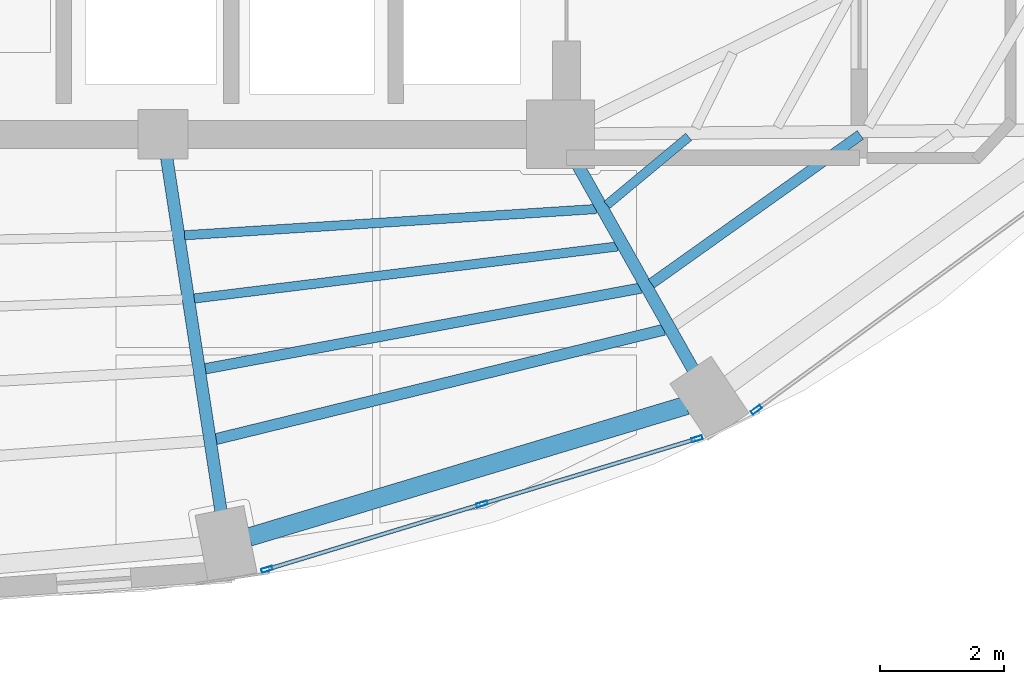
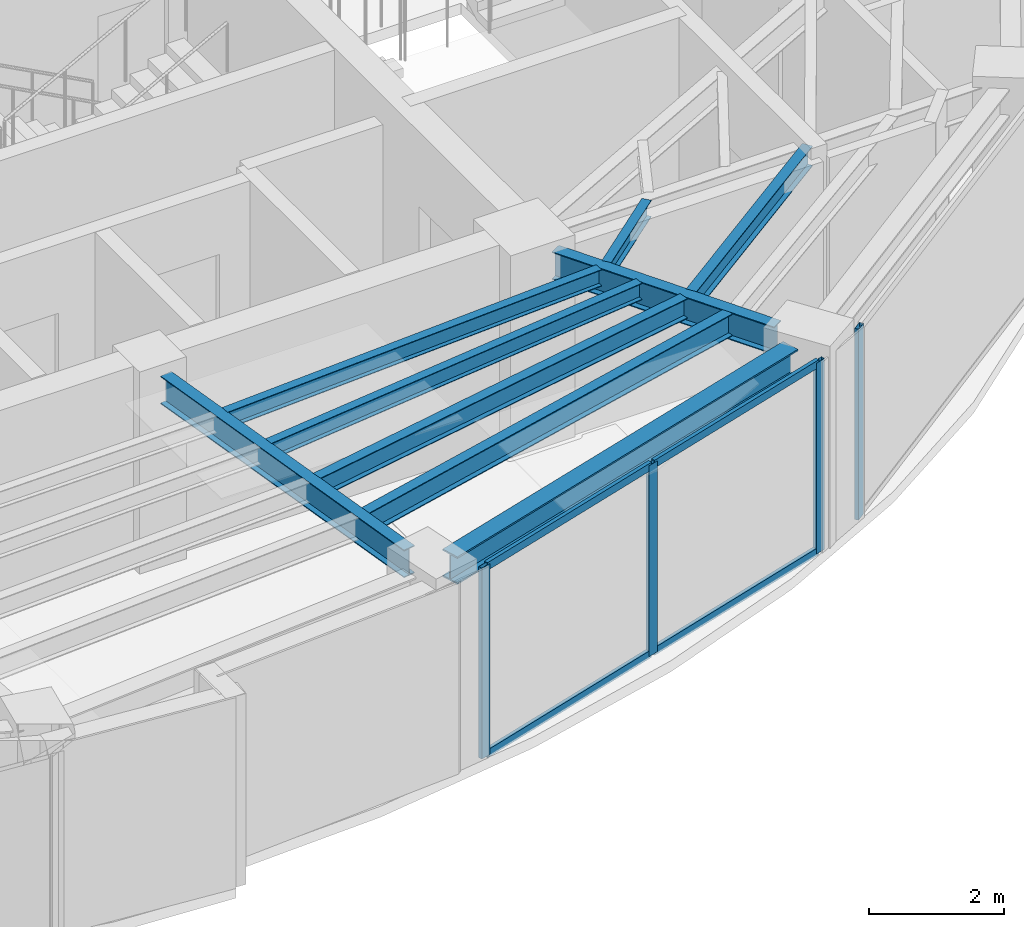
# One storey, part 2 of 13: 9 beams, 8 members, 2 elements without a shape of their own.
"""IFC4 building model written with IfcOpenShell, lengths in metres."""

from ifc_helpers import new_model, si_unit, direction, frame, origin, origin_2d, place, context, subcontext, project, spatial, hollow_rectangle, i_section, extrude, material, layer, layer_set, material_profile, profile_set, type_object, element, aggregate, save


model = new_model("IFC4")

# Units and contexts
model_context = context("Model", 3, precision=1e-05, world=origin(), true_north=direction((0.0, 1.0)))
body_context = subcontext(model_context, "Body", "Model", "MODEL_VIEW")
ifc_project = project(units=[si_unit("LENGTHUNIT", "METRE"), si_unit("AREAUNIT", "SQUARE_METRE"), si_unit("VOLUMEUNIT", "CUBIC_METRE"), si_unit("PLANEANGLEUNIT", "RADIAN"), si_unit("MASSUNIT", "GRAM", prefix="KILO")], contexts=[model_context])

# Site, building, storey
site_placement = place(None, origin())
site = spatial("IfcSite", under=ifc_project, at=site_placement, CompositionType="ELEMENT")
building_placement = place(site_placement, origin())
building = spatial("IfcBuilding", under=site, at=building_placement, Name="Lazwardi Medical Tower", CompositionType="ELEMENT")
storey_placement = place(building_placement, frame((0.0, 0.0, 273.263916015625)))
storey = spatial("IfcBuildingStorey", under=building, at=storey_placement, Name="L71", CompositionType="ELEMENT", Elevation=273.263916015625)

# Beams
ifc_material_1 = material(Name="Steel S355", Category="steel")
ifc_material_profile_1 = material_profile(ifc_material_1, i_section(OverallWidth=0.300048828125, OverallDepth=0.5, WebThickness=0.014404296875, FlangeThickness=0.028076171875, at=origin_2d()), Name="HEB 500")
ifc_profile_set_1 = profile_set([ifc_material_profile_1], Name="Steel S355")
beam_type_1 = type_object("IfcBeamType", Name="BM-RB-Z4", PredefinedType="BEAM", material=ifc_profile_set_1)
beam_1_placement = place(storey_placement, frame((40.58740234375, 13.9140625, 3.197998046875), z_axis=(0.957544311906, 0.288286126506, 0.0), x_axis=(-0.288286126506, 0.957544311906, 0.0)))
element("IfcBeam", 1, at=beam_1_placement, inside=storey, type_object=beam_type_1, Name="Ring beam RB-05 B01 L71", PredefinedType="BEAM", context=body_context, shape_type="SweptSolid", body=[
    extrude(i_section(OverallWidth=0.300048828125, OverallDepth=0.5, WebThickness=0.014404296875, FlangeThickness=0.028076171875, at=origin_2d()), origin(), (0.0, 0.0, 1.0), 7.3515625),
])
ifc_material_profile_2 = material_profile(ifc_material_1, i_section(OverallWidth=0.199951171875, OverallDepth=0.5, WebThickness=0.01025390625, FlangeThickness=0.01611328125, at=origin_2d()), Name="IPE 500")
ifc_profile_set_2 = profile_set([ifc_material_profile_2], Name="Steel S355")
beam_type_2 = type_object("IfcBeamType", Name="BM-RG-W3", PredefinedType="BEAM", material=ifc_profile_set_2)
beam_2_placement = place(storey_placement, frame((40.1328125, 14.33056640625, 3.197998046875), z_axis=(-0.151894625259, 0.988396693043, 0.0), x_axis=(-0.988396693043, -0.151894625259, 0.0)))
element("IfcBeam", 2, at=beam_2_placement, inside=storey, type_object=beam_type_2, Name="Radial girder RG-04 R01 L71", PredefinedType="BEAM", context=body_context, shape_type="SweptSolid", body=[
    extrude(i_section(OverallWidth=0.199951171875, OverallDepth=0.5, WebThickness=0.01025390625, FlangeThickness=0.01611328125, at=origin_2d()), origin(), (0.0, 0.0, 1.0), 5.755859375),
])
beam_3_placement = place(storey_placement, frame((47.7373046875, 16.61181640625, 3.197998046875), z_axis=(-0.491403349237, 0.870932114667, 0.0), x_axis=(-0.870932114667, -0.491403349237, 0.0)))
element("IfcBeam", 3, at=beam_3_placement, inside=storey, type_object=beam_type_2, Name="Radial girder RG-04 R02 L71", PredefinedType="BEAM", context=body_context, shape_type="SweptSolid", body=[
    extrude(i_section(OverallWidth=0.199951171875, OverallDepth=0.5, WebThickness=0.01025390625, FlangeThickness=0.01611328125, at=origin_2d()), origin(), (0.0, 0.0, 1.0), 3.814697265625),
])
ifc_material_profile_3 = material_profile(ifc_material_1, i_section(OverallWidth=0.179931640625, OverallDepth=0.39990234375, WebThickness=0.008544921875, FlangeThickness=0.013427734375, at=origin_2d()), Name="IPE 400")
ifc_profile_set_3 = profile_set([ifc_material_profile_3], Name="Steel S355")
beam_type_3 = type_object("IfcBeamType", Name="BM-SJ-01", PredefinedType="JOIST", material=ifc_profile_set_3)
beam_4_placement = place(storey_placement, frame((40.050048828125, 15.49072265625, 3.248046875), z_axis=(0.971461103721, 0.237198912219, 0.0), x_axis=(-0.237198912219, 0.971461103721, 0.0)))
element("IfcBeam", 4, at=beam_4_placement, inside=storey, type_object=beam_type_3, Name="Secondary joist SJ-01 R1 B01 L71", PredefinedType="JOIST", context=body_context, shape_type="SweptSolid", body=[
    extrude(i_section(OverallWidth=0.179931640625, OverallDepth=0.39990234375, WebThickness=0.008544921875, FlangeThickness=0.013427734375, at=origin_2d()), origin(), (0.0, 0.0, 1.0), 7.432373046875),
])
ifc_material_profile_4 = material_profile(ifc_material_1, i_section(OverallWidth=0.169921875, OverallDepth=0.360107421875, WebThickness=0.008056640625, FlangeThickness=0.0126953125, at=origin_2d()), Name="IPE 360")
ifc_profile_set_4 = profile_set([ifc_material_profile_4], Name="Steel S355")
beam_type_4 = type_object("IfcBeamType", Name="BM-SJ-02", PredefinedType="JOIST", material=ifc_profile_set_4)
beam_5_placement = place(storey_placement, frame((39.87646484375, 16.623291015625, 3.26806640625), z_axis=(0.983270661344, 0.182150505189, 0.0), x_axis=(-0.182150505189, 0.983270661344, 0.0)))
element("IfcBeam", 5, at=beam_5_placement, inside=storey, type_object=beam_type_4, Name="Secondary joist SJ-02 R2 B01 L71", PredefinedType="JOIST", context=body_context, shape_type="SweptSolid", body=[
    extrude(i_section(OverallWidth=0.169921875, OverallDepth=0.360107421875, WebThickness=0.008056640625, FlangeThickness=0.0126953125, at=origin_2d()), origin(), (0.0, 0.0, 1.0), 7.13720703125),
])
beam_6_placement = place(storey_placement, frame((47.06494140625, 17.995849609375, 3.26806640625), z_axis=(0.814885852348, 0.579621469274, 0.0), x_axis=(-0.579621469274, 0.814885852348, 0.0)))
element("IfcBeam", 6, at=beam_6_placement, inside=storey, type_object=beam_type_4, Name="Secondary joist SJ-02 R2 B02 L71", PredefinedType="JOIST", context=body_context, shape_type="SweptSolid", body=[
    extrude(i_section(OverallWidth=0.169921875, OverallDepth=0.360107421875, WebThickness=0.008056640625, FlangeThickness=0.0126953125, at=origin_2d()), origin(), (0.0, 0.0, 1.0), 4.131103515625),
])
ifc_material_profile_5 = material_profile(ifc_material_1, i_section(OverallWidth=0.14990234375, OverallDepth=0.300048828125, WebThickness=0.007080078125, FlangeThickness=0.0107421875, at=origin_2d()), Name="IPE 300")
ifc_profile_set_5 = profile_set([ifc_material_profile_5], Name="Steel S355")
beam_type_5 = type_object("IfcBeamType", Name="BM-SJ-03", PredefinedType="JOIST", material=ifc_profile_set_5)
beam_7_placement = place(storey_placement, frame((39.702392578125, 17.755615234375, 3.298095703125), z_axis=(0.992528507109, 0.122012960685, 0.0), x_axis=(-0.122012960685, 0.992528507109, 0.0)))
element("IfcBeam", 7, at=beam_7_placement, inside=storey, type_object=beam_type_5, Name="Secondary joist SJ-03 R3 B01 L71", PredefinedType="JOIST", context=body_context, shape_type="SweptSolid", body=[
    extrude(i_section(OverallWidth=0.14990234375, OverallDepth=0.300048828125, WebThickness=0.007080078125, FlangeThickness=0.0107421875, at=origin_2d()), origin(), (0.0, 0.0, 1.0), 6.8671875),
])
beam_8_placement = place(storey_placement, frame((39.545654296875, 18.77392578125, 3.298095703125), z_axis=(0.997972905644, 0.063640235704, 0.0), x_axis=(-0.063640235704, 0.997972905644, 0.0)))
element("IfcBeam", 8, at=beam_8_placement, inside=storey, type_object=beam_type_5, Name="Secondary joist SJ-03 R4 B01 L71", PredefinedType="JOIST", context=body_context, shape_type="SweptSolid", body=[
    extrude(i_section(OverallWidth=0.14990234375, OverallDepth=0.300048828125, WebThickness=0.007080078125, FlangeThickness=0.0107421875, at=origin_2d()), origin(), (0.0, 0.0, 1.0), 6.648193359375),
])
beam_9_placement = place(storey_placement, frame((46.348388671875, 19.263916015625, 3.298095703125), z_axis=(0.768968334056, 0.639286869269, 0.0), x_axis=(-0.639286869269, 0.768968334056, 0.0)))
element("IfcBeam", 9, at=beam_9_placement, inside=storey, type_object=beam_type_5, Name="Secondary joist SJ-03 R4 B02 L71", PredefinedType="JOIST", context=body_context, shape_type="SweptSolid", body=[
    extrude(i_section(OverallWidth=0.14990234375, OverallDepth=0.300048828125, WebThickness=0.007080078125, FlangeThickness=0.0107421875, at=origin_2d()), origin(), (0.0, 0.0, 1.0), 1.713134765625),
])

# Curtain wall, members
ifc_material_2 = material(Name="Anodised bronze aluminium and solar control glazing", Category="aluminium")
ifc_layer = layer(ifc_material_2, 0.18994140625)
ifc_layer_set = layer_set([ifc_layer], Name="Anodised bronze aluminium and solar control glazing")
curtain_wall_type = type_object("IfcCurtainWallType", Name="CW-SYS-04", PredefinedType="NOTDEFINED", material=ifc_layer_set)
curtain_wall_1_placement = place(storey_placement, origin())
curtain_wall_1 = element("IfcCurtainWall", 10, at=curtain_wall_1_placement, inside=storey, type_object=curtain_wall_type, Name="L71 Unitised bronze curtain wall CW-04", PredefinedType="NOTDEFINED")
ifc_material_3 = material(Name="Anodised bronze aluminium", Category="aluminium")
ifc_material_profile_6 = material_profile(ifc_material_3, hollow_rectangle(XDim=0.06494140625, YDim=0.179931640625, WallThickness=0.00390625, at=origin_2d()), Name="ALU-MULLION 180x65x4")
ifc_profile_set_6 = profile_set([ifc_material_profile_6], Name="Anodised bronze aluminium")
member_type_1 = type_object("IfcMemberType", Name="CW-MUL-03", PredefinedType="MULLION", material=ifc_profile_set_6)
member_1_placement = place(storey_placement, frame((40.873046875, 13.392822265625, 0.0), z_axis=(0.0, 0.0, 1.0), x_axis=(-0.290581889515, 0.956850126972, 0.0)))
member_1 = element("IfcMember", 11, at=member_1_placement, type_object=member_type_1, Name="CW-04 mullion 1", PredefinedType="MULLION", context=body_context, shape_type="SweptSolid", body=[
    extrude(hollow_rectangle(XDim=0.06494140625, YDim=0.179931640625, WallThickness=0.00390625, at=origin_2d()), origin(), (0.0, 0.0, 1.0), 3.447998046875),
])
member_2_placement = place(storey_placement, frame((44.33642578125, 14.444580078125, 0.0), z_axis=(0.0, 0.0, 1.0), x_axis=(-0.290581889515, 0.956850126972, 0.0)))
member_2 = element("IfcMember", 12, at=member_2_placement, type_object=member_type_1, Name="CW-04 mullion 2", PredefinedType="MULLION", context=body_context, shape_type="SweptSolid", body=[
    extrude(hollow_rectangle(XDim=0.06494140625, YDim=0.179931640625, WallThickness=0.00390625, at=origin_2d()), origin(), (0.0, 0.0, 1.0), 3.447998046875),
])
member_3_placement = place(storey_placement, frame((47.7998046875, 15.496337890625, 0.0), z_axis=(0.0, 0.0, 1.0), x_axis=(-0.290581889515, 0.956850126972, 0.0)))
member_3 = element("IfcMember", 13, at=member_3_placement, type_object=member_type_1, Name="CW-04 mullion 3", PredefinedType="MULLION", context=body_context, shape_type="SweptSolid", body=[
    extrude(hollow_rectangle(XDim=0.06494140625, YDim=0.179931640625, WallThickness=0.00390625, at=origin_2d()), origin(), (0.0, 0.0, 1.0), 3.447998046875),
])

# Curtain wall, member
curtain_wall_2_placement = place(storey_placement, origin())
curtain_wall_2 = element("IfcCurtainWall", 14, at=curtain_wall_2_placement, inside=storey, type_object=curtain_wall_type, Name="L71 Unitised bronze curtain wall CW-04", PredefinedType="NOTDEFINED")
member_4_placement = place(storey_placement, frame((48.75537109375, 15.965087890625, 0.0), z_axis=(0.0, 0.0, 1.0), x_axis=(-0.591268230971, 0.806474971121, 0.0)))
member_4 = element("IfcMember", 15, at=member_4_placement, type_object=member_type_1, Name="CW-04 mullion 1", PredefinedType="MULLION", context=body_context, shape_type="SweptSolid", body=[
    extrude(hollow_rectangle(XDim=0.06494140625, YDim=0.179931640625, WallThickness=0.00390625, at=origin_2d()), origin(), (0.0, 0.0, 1.0), 3.447998046875),
])
aggregate(curtain_wall_2, [member_4])

# Member
ifc_material_profile_7 = material_profile(ifc_material_3, hollow_rectangle(XDim=0.06494140625, YDim=0.139892578125, WallThickness=0.00341796875, at=origin_2d()), Name="ALU-TRANSOM 140x65x3.5")
ifc_profile_set_7 = profile_set([ifc_material_profile_7], Name="Anodised bronze aluminium")
member_type_2 = type_object("IfcMemberType", Name="CW-TRN-03", PredefinedType="USERDEFINED", material=ifc_profile_set_7)
member_5_placement = place(storey_placement, frame((40.904296875, 13.40234375, 0.032470703125), z_axis=(0.956843409009, 0.290604010015, 0.0), x_axis=(-0.290604010015, 0.956843409009, 0.0)))
member_5 = element("IfcMember", 16, at=member_5_placement, type_object=member_type_2, Name="CW-04 transom 1.1", ObjectType="TRANSOM", PredefinedType="USERDEFINED", context=body_context, shape_type="SweptSolid", body=[
    extrude(hollow_rectangle(XDim=0.06494140625, YDim=0.139892578125, WallThickness=0.00341796875, at=origin_2d()), origin(), (0.0, 0.0, 1.0), 3.554443359375),
])

member_6_placement = place(storey_placement, frame((40.904296875, 13.40234375, 3.41552734375), z_axis=(0.956843409009, 0.290604010015, 0.0), x_axis=(-0.290604010015, 0.956843409009, 0.0)))
member_6 = element("IfcMember", 17, at=member_6_placement, type_object=member_type_2, Name="CW-04 transom 1.2", ObjectType="TRANSOM", PredefinedType="USERDEFINED", context=body_context, shape_type="SweptSolid", body=[
    extrude(hollow_rectangle(XDim=0.06494140625, YDim=0.139892578125, WallThickness=0.00341796875, at=origin_2d()), origin(), (0.0, 0.0, 1.0), 3.554443359375),
])

member_7_placement = place(storey_placement, frame((44.367431640625, 14.4541015625, 0.032470703125), z_axis=(0.956843409009, 0.290604010015, 0.0), x_axis=(-0.290604010015, 0.956843409009, 0.0)))
member_7 = element("IfcMember", 18, at=member_7_placement, type_object=member_type_2, Name="CW-04 transom 2.1", ObjectType="TRANSOM", PredefinedType="USERDEFINED", context=body_context, shape_type="SweptSolid", body=[
    extrude(hollow_rectangle(XDim=0.06494140625, YDim=0.139892578125, WallThickness=0.00341796875, at=origin_2d()), origin(), (0.0, 0.0, 1.0), 3.554443359375),
])

member_8_placement = place(storey_placement, frame((44.367431640625, 14.4541015625, 3.41552734375), z_axis=(0.956843409009, 0.290604010015, 0.0), x_axis=(-0.290604010015, 0.956843409009, 0.0)))
member_8 = element("IfcMember", 19, at=member_8_placement, type_object=member_type_2, Name="CW-04 transom 2.2", ObjectType="TRANSOM", PredefinedType="USERDEFINED", context=body_context, shape_type="SweptSolid", body=[
    extrude(hollow_rectangle(XDim=0.06494140625, YDim=0.139892578125, WallThickness=0.00341796875, at=origin_2d()), origin(), (0.0, 0.0, 1.0), 3.554443359375),
])

aggregate(curtain_wall_1, [member_1, member_2, member_3, member_5, member_6, member_7, member_8])

save(model, "model.ifc")
